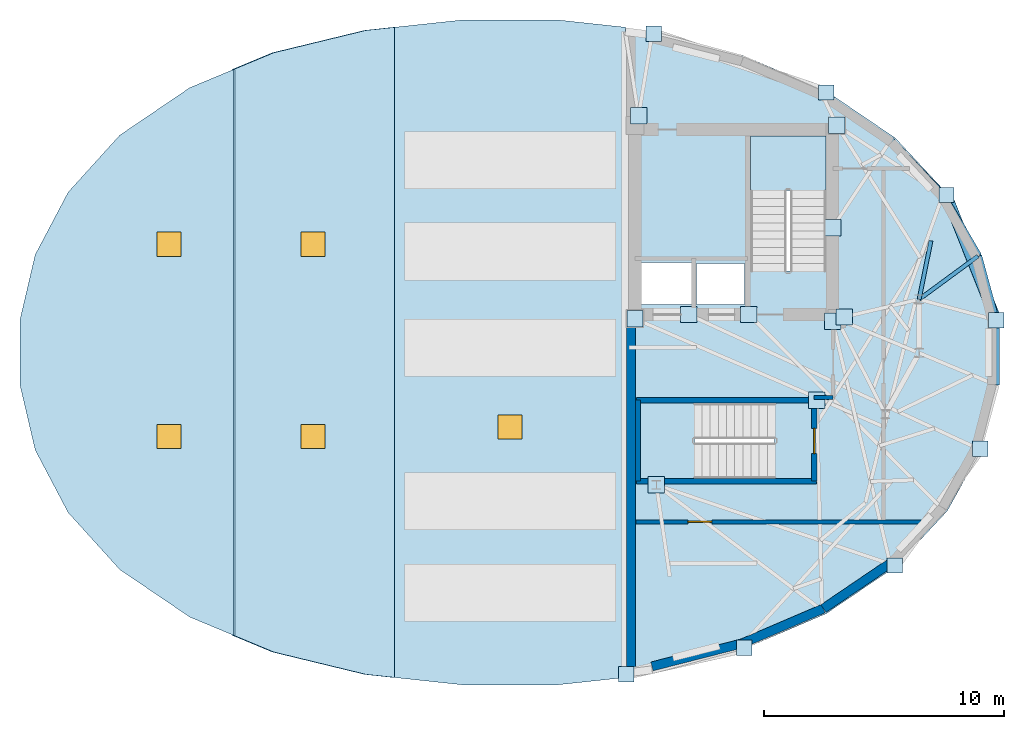
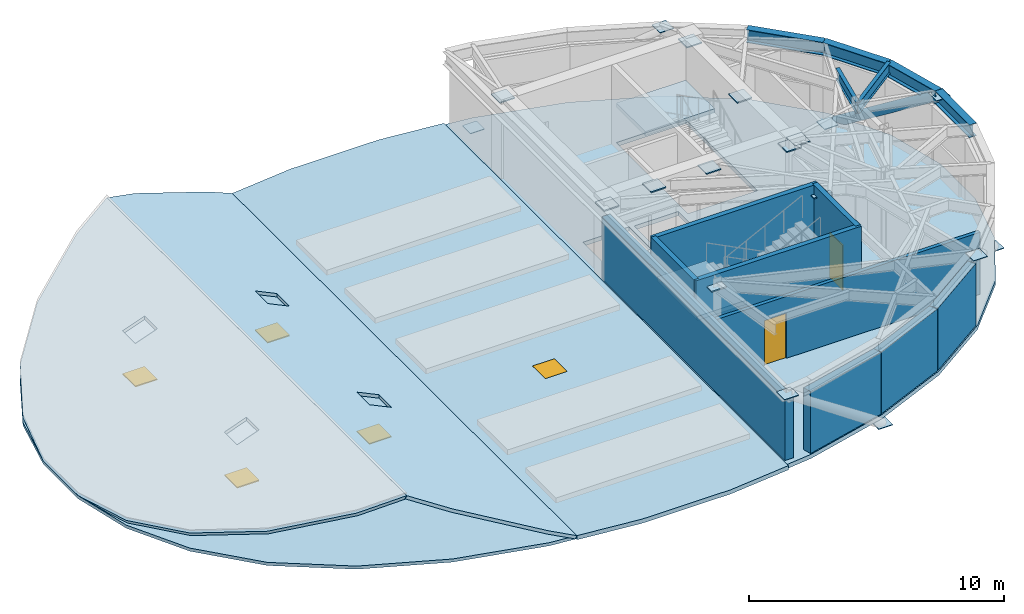
"""IFC4 building model written with IfcOpenShell, lengths in metres."""

from ifc_helpers import new_model, si_unit, direction, frame, frame_2d, origin, origin_2d, place, context, subcontext, project, spatial, polyline, rectangle, hollow_circle, i_section, outline, extrude, material, layer, layer_set, material_profile, profile_set, type_object, element, fill, aggregate, save


model = new_model("IFC4")

# Units and contexts
model_context = context("Model", 3, precision=1e-05, world=origin(), true_north=direction((0.0, 1.0)))
body_context = subcontext(model_context, "Body", "Model", "MODEL_VIEW")
ifc_project = project(units=[si_unit("LENGTHUNIT", "METRE"), si_unit("AREAUNIT", "SQUARE_METRE"), si_unit("VOLUMEUNIT", "CUBIC_METRE"), si_unit("PLANEANGLEUNIT", "RADIAN"), si_unit("MASSUNIT", "GRAM", prefix="KILO")], contexts=[model_context])

# Site, building, storey
site_placement = place(None, origin())
site = spatial("IfcSite", under=ifc_project, at=site_placement, CompositionType="ELEMENT")
building_placement = place(site_placement, origin())
building = spatial("IfcBuilding", under=site, at=building_placement, Name="Keldmark Tower", CompositionType="ELEMENT")
storey_1_placement = place(building_placement, frame((0.0, 0.0, 284.39990234375)))
storey_1 = spatial("IfcBuildingStorey", under=building, at=storey_1_placement, Name="L80", CompositionType="ELEMENT", Elevation=284.39990234375)

# Member
ifc_material_1 = material(Name="Steel ASTM A572 Grade 50", Category="steel")
ifc_material_profile_1 = material_profile(ifc_material_1, hollow_circle(Radius=0.22509765625, WallThickness=0.02197265625, at=origin_2d()), Name="CHS450X22")
ifc_profile_set_1 = profile_set([ifc_material_profile_1], Name="Steel ASTM A572 Grade 50")
member_type = type_object("IfcMemberType", Name="Crown Frame Brace CHS450X22", PredefinedType="USERDEFINED", material=ifc_profile_set_1)
member_placement = place(storey_1_placement, frame((18.16259765625, 6.548583984375, -0.449951171875), z_axis=(0.306433024078, -0.768769303786, 0.561331060348), x_axis=(0.928923803826, 0.370270936863, 0.0)))
element("IfcMember", 1, at=member_placement, inside=storey_1, type_object=member_type, Name="L80 Crown Frame Diagonal E04", ObjectType="CROWN FRAME", PredefinedType="USERDEFINED", context=body_context, shape_type="SweptSolid", body=[
    extrude(hollow_circle(Radius=0.22509765625, WallThickness=0.02197265625, at=origin_2d()), origin(), (0.0, 0.0, 1.0), 6.769775390625),
])

# Beams
ifc_material_2 = material(Name="Steel ASTM A992 Grade 50", Category="steel")
ifc_material_profile_2 = material_profile(ifc_material_2, i_section(OverallWidth=0.166015625, OverallDepth=0.529052734375, WebThickness=0.009765625, FlangeThickness=0.013671875, at=origin_2d()), Name="W21X50")
ifc_profile_set_2 = profile_set([ifc_material_profile_2], Name="Steel ASTM A992 Grade 50")
beam_type_1 = type_object("IfcBeamType", Name="Radial Tie Girder W21X50", PredefinedType="BEAM", material=ifc_profile_set_2)
beam_1_placement = place(storey_1_placement, frame((17.025634765625, 2.2080078125, 3.335693359375), z_axis=(0.197382504246, 0.980326551215, 0.0), x_axis=(-0.980326551215, 0.197382504246, 0.0)))
element("IfcBeam", 2, at=beam_1_placement, inside=storey_1, type_object=beam_type_1, Name="L80 Local Collector Chord CRT-E05C", PredefinedType="BEAM", context=body_context, shape_type="SweptSolid", body=[
    extrude(i_section(OverallWidth=0.166015625, OverallDepth=0.529052734375, WebThickness=0.009765625, FlangeThickness=0.013671875, at=origin_2d()), origin(), (0.0, 0.0, 1.0), 2.483642578125),
])
beam_2_placement = place(storey_1_placement, frame((17.025634765625, 2.2080078125, 3.335693359375), z_axis=(0.805845025999, 0.592126501749, 0.0), x_axis=(-0.592126501749, 0.805845025999, 0.0)))
element("IfcBeam", 3, at=beam_2_placement, inside=storey_1, type_object=beam_type_1, Name="L80 Perimeter Column Bracket CRT-E06", PredefinedType="BEAM", context=body_context, shape_type="SweptSolid", body=[
    extrude(i_section(OverallWidth=0.166015625, OverallDepth=0.529052734375, WebThickness=0.009765625, FlangeThickness=0.013671875, at=origin_2d()), origin(), (0.0, 0.0, 1.0), 3.03759765625),
])
ifc_material_3 = material(Name="Steel ASTM A992 Grade 50", Category="steel")
ifc_material_profile_3 = material_profile(ifc_material_3, i_section(OverallWidth=0.326904296875, OverallDepth=0.6220703125, WebThickness=0.015380859375, FlangeThickness=0.0244140625, at=origin_2d()), Name="W24X131")
ifc_profile_set_3 = profile_set([ifc_material_profile_3], Name="Steel ASTM A992 Grade 50")
beam_type_2 = type_object("IfcBeamType", Name="Spandrel Ring Beam W24X131", PredefinedType="SPANDREL", material=ifc_profile_set_3)
beam_3_placement = place(storey_1_placement, frame((15.8232421875, 8.8076171875, 3.2890625), z_axis=(0.691586095732, -0.722294034442, 0.0), x_axis=(0.722294034442, 0.691586095732, 0.0)))
element("IfcBeam", 4, at=beam_3_placement, inside=storey_1, type_object=beam_type_2, Name="L80 Crown Spandrel Ring Beam CRB-E04", PredefinedType="SPANDREL", context=body_context, shape_type="SweptSolid", body=[
    extrude(i_section(OverallWidth=0.326904296875, OverallDepth=0.6220703125, WebThickness=0.015380859375, FlangeThickness=0.0244140625, at=origin_2d()), origin(), (0.0, 0.0, 1.0), 3.15625),
])
beam_4_placement = place(storey_1_placement, frame((18.006103515625, 6.52783203125, 3.2890625), z_axis=(0.502991343688, -0.86429144863, 0.0), x_axis=(0.86429144863, 0.502991343688, 0.0)))
element("IfcBeam", 5, at=beam_4_placement, inside=storey_1, type_object=beam_type_2, Name="L80 Crown Spandrel Ring Beam CRB-E05", PredefinedType="SPANDREL", context=body_context, shape_type="SweptSolid", body=[
    extrude(i_section(OverallWidth=0.326904296875, OverallDepth=0.6220703125, WebThickness=0.015380859375, FlangeThickness=0.0244140625, at=origin_2d()), origin(), (0.0, 0.0, 1.0), 2.917236328125),
])
beam_5_placement = place(storey_1_placement, frame((19.473388671875, 4.006591796875, 3.2890625), z_axis=(0.263499861822, -0.964659433593, 0.0), x_axis=(0.964659433593, 0.263499861822, 0.0)))
element("IfcBeam", 6, at=beam_5_placement, inside=storey_1, type_object=beam_type_2, Name="L80 Crown Spandrel Ring Beam CRB-E06", PredefinedType="SPANDREL", context=body_context, shape_type="SweptSolid", body=[
    extrude(i_section(OverallWidth=0.326904296875, OverallDepth=0.6220703125, WebThickness=0.015380859375, FlangeThickness=0.0244140625, at=origin_2d()), origin(), (0.0, 0.0, 1.0), 2.754638671875),
])
beam_6_placement = place(storey_1_placement, frame((20.19921875, 1.349365234375, 3.2890625), z_axis=(0.0, -1.0, 0.0), x_axis=(1.0, 0.0, 0.0)))
element("IfcBeam", 7, at=beam_6_placement, inside=storey_1, type_object=beam_type_2, Name="L80 Crown Spandrel Ring Beam CRB-E07", PredefinedType="SPANDREL", context=body_context, shape_type="SweptSolid", body=[
    extrude(i_section(OverallWidth=0.326904296875, OverallDepth=0.6220703125, WebThickness=0.015380859375, FlangeThickness=0.0244140625, at=origin_2d()), origin(), (0.0, 0.0, 1.0), 2.69873046875),
])

# Plates
ifc_material_4 = material(Name="Steel ASTM A572 Grade 50", Category="steel")
ifc_layer_1 = layer(ifc_material_4, 0.06005859375)
ifc_layer_set_1 = layer_set([ifc_layer_1], Name="Steel ASTM A572 Grade 50")
plate_type_1 = type_object("IfcPlateType", Name="Belt Truss Kink Node Assembly KN01 60 mm", PredefinedType="USERDEFINED", material=ifc_layer_set_1)
for number, where, z_axis, x_axis, name in (
    (8, (13.91162109375, 1.473388671875, 3.30810546875), (0.0, 0.0, 1.0), (1.0, 0.0, 0.0), "L80 Core Wall Cast-In Embed Plate 2254"),
    (9, (5.199951171875, 1.39990234375, 3.30810546875), (0.0, 0.0, 1.0), (1.0, 0.0, 0.0), "L80 Core Wall Cast-In Embed Plate 2255"),
    (10, (13.60009765625, 9.449951171875, 3.30810546875), (0.0, 0.0, 1.0), (1.0, 0.0, 0.0), "L80 Core Wall Cast-In Embed Plate 2256"),
    (11, (7.43212890625, 1.574951171875, 3.30810546875), (0.0, 0.0, 1.0), (1.0, 0.0, 0.0), "L80 Core Wall Cast-In Embed Plate 2257"),
    (12, (9.939208984375, 1.574951171875, 3.30810546875), (0.0, 0.0, 1.0), (1.0, 0.0, 0.0), "L80 Core Wall Cast-In Embed Plate 2258"),
    (13, (13.425048828125, 1.300048828125, 3.30810546875), (0.0, 0.0, 1.0), (1.0, 0.0, 0.0), "L80 Core Wall Cast-In Embed Plate 2259"),
    (14, (13.425048828125, 5.191650390625, 3.30810546875), (0.0, 0.0, 1.0), (1.0, 0.0, 0.0), "L80 Core Wall Cast-In Embed Plate 2260"),
    (15, (6.089599609375, -5.512939453125, 3.30810546875), (0.0, 0.0, 1.0), (1.0, 0.0, 0.0), "L80 Core Wall Cast-In Embed Plate 2261"),
    (16, (12.760009765625, -1.989990234375, 3.30810546875), (0.0, 0.0, 1.0), (1.0, 0.0, 0.0), "L80 Core Wall Cast-In Embed Plate 2262"),
    (17, (5.35009765625, 9.85009765625, 3.30810546875), (0.0, 0.0, 1.0), (1.0, 0.0, 0.0), "L80 Core Wall Cast-In Embed Plate 2263"),
):
    element("IfcPlate", number, at=place(storey_1_placement, frame(where, z_axis=z_axis, x_axis=x_axis)), inside=storey_1, type_object=plate_type_1, Name=name, ObjectType="CAP PLATE", PredefinedType="USERDEFINED", context=body_context, shape_type="SweptSolid", body=[
        extrude(rectangle(XDim=0.679931640625, YDim=0.679931640625, at=origin_2d()), origin(), (0.0, 0.0, 1.0), 0.054931640625),
    ])
ifc_material_5 = material(Name="Steel ASTM A572 Grade 50", Category="steel")
ifc_layer_2 = layer(ifc_material_5, 0.030029296875)
ifc_layer_set_2 = layer_set([ifc_layer_2], Name="Steel ASTM A572 Grade 50")
plate_type_2 = type_object("IfcPlateType", Name="Crown Frame End Cap Plate CP01 30 mm", PredefinedType="SHEET", material=ifc_layer_set_2)
for number, where, z_axis, x_axis, name in (
    (18, (5.980224609375, 13.25341796875, -0.46484375), (0.0, 0.0, 1.0), (1.0, 0.0, 0.0), "L80 Crown Frame Node Cap E00-0"),
    (19, (13.15869140625, 10.81396484375, 3.3349609375), (0.0, 0.0, 1.0), (1.0, 0.0, 0.0), "L80 Crown Frame Node Cap E00-1"),
    (20, (18.16259765625, 6.548583984375, -0.46484375), (0.0, 0.0, 1.0), (1.0, 0.0, 0.0), "L80 Crown Frame Node Cap E04-0"),
    (21, (20.237060546875, 1.34423828125, 3.3349609375), (0.0, 0.0, 1.0), (1.0, 0.0, 0.0), "L80 Crown Frame Node Cap E04-1"),
    (22, (19.566650390625, -4.00341796875, -0.46484375), (0.0, 0.0, 1.0), (1.0, 0.0, 0.0), "L80 Crown Frame Node Cap E08-0"),
    (23, (16.01513671875, -8.866455078125, 3.3349609375), (0.0, 0.0, 1.0), (1.0, 0.0, 0.0), "L80 Crown Frame Node Cap E08-1"),
    (24, (9.744140625, -12.28564453125, -0.46484375), (0.0, 0.0, 1.0), (1.0, 0.0, 0.0), "L80 Crown Frame Node Cap E12-0"),
    (25, (4.83251953125, -13.389404296875, 3.3349609375), (0.0, 0.0, 1.0), (1.0, 0.0, 0.0), "L80 Crown Frame Node Cap E12-1"),
):
    element("IfcPlate", number, at=place(storey_1_placement, frame(where, z_axis=z_axis, x_axis=x_axis)), inside=storey_1, type_object=plate_type_2, Name=name, PredefinedType="SHEET", context=body_context, shape_type="SweptSolid", body=[
        extrude(rectangle(XDim=0.639892578125, YDim=0.639892578125, at=origin_2d()), origin(), (0.0, 0.0, 1.0), 0.030029296875),
    ])

# Slab, opening
ifc_material_6 = material(Name="Concrete C35/45", Category="concrete")
ifc_layer_3 = layer(ifc_material_6, 0.199951171875)
ifc_layer_set_3 = layer_set([ifc_layer_3], Name="Concrete C35/45")
slab_type_1 = type_object("IfcSlabType", Name="Crown Structural Roof Cap Slab 200 mm", PredefinedType="ROOF", material=ifc_layer_set_3)
slab_1_placement = place(storey_1_placement, frame((0.0, 0.0, -0.199951171875)))
slab_1 = element("IfcSlab", 26, at=slab_1_placement, inside=storey_1, type_object=slab_type_1, Name="L80 Crown Sky-Slot Weather Roof Deck", PredefinedType="ROOF", context=body_context, shape_type="SweptSolid", body=[
    extrude(outline(polyline([(-2.008544921875, 13.83251953125), (2.008544921875, 13.83251953125), (4.800048828125, 13.531982421875), (4.800048828125, -13.531982421875), (2.008544921875, -13.83251953125), (-2.008544921875, -13.83251953125), (-4.800048828125, -13.531982421875), (-4.800048828125, 13.531982421875), (-2.008544921875, 13.83251953125)])), origin(), (0.0, 0.0, 1.0), 0.199951171875),
])
opening_1_placement = place(slab_1_placement, frame((0.0, -3.10009765625, 0.0)))
opening_1 = element("IfcOpeningElement", 27, at=opening_1_placement, cuts=slab_1, Name="Opening RH-01", PredefinedType="OPENING", context=body_context, shape_type="SweptSolid", body=[
    extrude(rectangle(XDim=1.0, YDim=1.0, at=origin_2d()), origin(), (0.0, 0.0, 1.0), 0.199951171875),
])

# Storey
storey_2_placement = place(building_placement, frame((0.0, 0.0, 280.60009765625)))
storey_2 = spatial("IfcBuildingStorey", under=building, at=storey_2_placement, Name="L79", CompositionType="ELEMENT", Elevation=280.60009765625)

# Door
ifc_material_7 = material(Name="Galvanized Insulated Metal", Category="metal")
door_type_1 = type_object("IfcDoorType", Name="Insulated Roof Maintenance Hatch 1000x1000", OperationType="SWING_FIXED_LEFT", PredefinedType="TRAPDOOR", material=ifc_material_7)
door_1_placement = place(opening_1_placement, frame((0.0, 0.0, 0.14990234375)))
door_1 = element("IfcDoor", 28, at=door_1_placement, inside=storey_2, type_object=door_type_1, Name="L79 Crown Sky-Slot Acoustic Roof Hatch", OperationType="SINGLE_SWING_LEFT", OverallHeight=1.0, OverallWidth=1.0, PredefinedType="TRAPDOOR", context=body_context, shape_type="SweptSolid", body=[
    extrude(rectangle(XDim=1.0, YDim=1.0, at=origin_2d()), origin(), (0.0, 0.0, 1.0), 0.050048828125),
])

fill(opening_1, door_1)

# Slab
ifc_material_8 = material(Name="Concrete C35/45", Category="concrete")
ifc_layer_4 = layer(ifc_material_8, 0.199951171875)
ifc_layer_set_4 = layer_set([ifc_layer_4], Name="Concrete C35/45")
slab_type_2 = type_object("IfcSlabType", Name="Low-Rise Office Composite Slab 200 mm", PredefinedType="FLOOR", material=ifc_layer_set_4)
slab_2_placement = place(storey_1_placement, frame((0.0, 0.0, -0.199951171875)))
element("IfcSlab", 29, at=slab_2_placement, inside=storey_1, type_object=slab_type_2, Name="L80 East Crown Plant Floor Slab", PredefinedType="FLOOR", context=body_context, shape_type="SweptSolid", body=[
    extrude(outline(polyline([(5.95068359375, 13.3056640625), (9.726806640625, 12.343017578125), (13.156982421875, 10.8740234375), (16.03173828125, 8.924072265625), (18.197509765625, 6.597412109375), (19.61669921875, 4.0361328125), (20.2958984375, 1.35595703125), (20.2958984375, -1.35595703125), (19.61669921875, -4.0361328125), (18.197509765625, -6.597412109375), (16.03173828125, -8.924072265625), (13.156982421875, -10.8740234375), (9.726806640625, -12.343017578125), (5.95068359375, -13.3056640625), (4.800048828125, -13.439697265625), (4.800048828125, 13.439697265625), (5.95068359375, 13.3056640625)]), holes=[polyline([(13.14990234375, 3.385009765625), (13.14990234375, 9.0), (10.0, 9.0), (10.0, 3.385009765625), (13.14990234375, 3.385009765625)]), polyline([(11.014892578125, -2.10009765625), (5.43994140625, -2.10009765625), (5.43994140625, -5.25), (11.014892578125, -5.25), (11.014892578125, -2.10009765625)]), polyline([(7.75, 2.0), (9.75, 2.0), (9.75, 3.699951171875), (7.75, 3.699951171875), (7.75, 2.0)]), polyline([(5.449951171875, 2.0), (7.550048828125, 2.0), (7.550048828125, 3.75), (5.449951171875, 3.75), (5.449951171875, 2.0)])]), origin(), (0.0, 0.0, 1.0), 0.199951171875),
])

# Stair, slab
ifc_material_9 = material(Name="Concrete C40/50", Category="concrete")
stair_type = type_object("IfcStairType", Name="Precast Concrete Core Exit Stair", PredefinedType="HALF_TURN_STAIR", material=ifc_material_9)
stair_1_placement = place(storey_1_placement, origin())
stair_1 = element("IfcStair", 30, at=stair_1_placement, inside=storey_1, type_object=stair_type, Name="L80 Exit Stair ST2", PredefinedType="HALF_TURN_STAIR")
ifc_material_10 = material(Name="Concrete C40/50", Category="concrete")
ifc_layer_5 = layer(ifc_material_10, 0.199951171875)
ifc_layer_set_5 = layer_set([ifc_layer_5], Name="Concrete C40/50")
slab_type_3 = type_object("IfcSlabType", Name="Reinforced Concrete Stair Landing 200 mm", PredefinedType="LANDING", material=ifc_layer_set_5)
slab_3_placement = place(storey_1_placement, frame((0.0, 0.0, 1.7001953125)))
slab_3 = element("IfcSlab", 31, at=slab_3_placement, type_object=slab_type_3, Name="ST2 landing 1", PredefinedType="LANDING", context=body_context, shape_type="SweptSolid", body=[
    extrude(outline(polyline([(13.14990234375, 6.72998046875), (13.14990234375, 9.0), (10.0, 9.0), (10.0, 6.72998046875), (13.14990234375, 6.72998046875)])), origin(), (0.0, 0.0, 1.0), 0.199951171875),
])
aggregate(stair_1, [slab_3])

stair_2_placement = place(storey_1_placement, origin())
stair_2 = element("IfcStair", 32, at=stair_2_placement, inside=storey_1, type_object=stair_type, Name="L80 East Crown Exit Stair ST4", PredefinedType="HALF_TURN_STAIR")
slab_4_placement = place(storey_1_placement, frame((0.0, 0.0, 1.7001953125)))
slab_4 = element("IfcSlab", 33, at=slab_4_placement, type_object=slab_type_3, Name="ST4 landing 1", PredefinedType="LANDING", context=body_context, shape_type="SweptSolid", body=[
    extrude(outline(polyline([(7.669921875, -2.10009765625), (5.43994140625, -2.10009765625), (5.43994140625, -5.25), (7.669921875, -5.25), (7.669921875, -2.10009765625)])), origin(), (0.0, 0.0, 1.0), 0.199951171875),
])
aggregate(stair_2, [slab_4])

# Slab, openings
ifc_material_11 = material(Name="Concrete C35/45", Category="concrete")
ifc_layer_6 = layer(ifc_material_11, 0.14990234375)
ifc_layer_set_6 = layer_set([ifc_layer_6], Name="Concrete C35/45")
slab_type_4 = type_object("IfcSlabType", Name="Sloped Crown Structural Roof Slab 150 mm", PredefinedType="ROOF", material=ifc_layer_set_6)
slab_5_placement = place(storey_1_placement, frame((-13.327880859375, -11.015869140625, 2.5419921875), z_axis=(-0.33867484023, 0.0, 0.940903476768), x_axis=(-0.793128862119, 0.538001443292, -0.285483896375)))
slab_5 = element("IfcSlab", 34, at=slab_5_placement, inside=storey_1, type_object=slab_type_4, Name="L80 West Crown Peak Sloped Roof W1", PredefinedType="ROOF", context=body_context, shape_type="SweptSolid", body=[
    extrude(outline(polyline([(0.0, 0.0), (3.6716291777757766, -2.220446049250313e-16), (6.873642180297279, -0.7718228767020248), (9.501539032446829, -2.180583336689754), (11.52235111145875, -4.098164606023342), (12.988194887614636, -6.394857504571808), (13.876478503432509, -9.03526497332526), (14.047607714892449, -12.01203548717873), (13.399262695885527, -15.241315059722158), (11.853106993535782, -18.571519762617434), (10.625129973592486, -20.258616602566217), (-2.0473258976906448, -0.4033360602762608), (0.0, 0.0)])), origin(), (0.0, 0.0, -1.0), 0.14990234375),
])
opening_2_placement = place(storey_1_placement, frame((-14.199951171875, -3.5, -0.64990234375)))
element("IfcOpeningElement", 35, at=opening_2_placement, cuts=slab_5, Name="Opening RH-01 Roof", PredefinedType="OPENING", context=body_context, shape_type="SweptSolid", body=[
    extrude(rectangle(XDim=1.0, YDim=1.0, at=origin_2d()), origin(), (0.0, 0.0, 1.0), 5.5),
])
opening_3_placement = place(storey_1_placement, frame((-14.199951171875, 4.5, -0.64990234375)))
element("IfcOpeningElement", 36, at=opening_3_placement, cuts=slab_5, Name="Opening RH-01 Roof", PredefinedType="OPENING", context=body_context, shape_type="SweptSolid", body=[
    extrude(rectangle(XDim=1.0, YDim=1.0, at=origin_2d()), origin(), (0.0, 0.0, 1.0), 5.5),
])

slab_6_placement = place(storey_1_placement, frame((-9.8291015625, -12.473388671875, 2.402099609375), z_axis=(0.431002672841, 0.0, 0.902350650248), x_axis=(-0.8446494228, 0.351854939176, 0.403442008648)))
slab_6 = element("IfcSlab", 37, at=slab_6_placement, inside=storey_1, type_object=slab_type_4, Name="L80 West Crown Peak Sloped Roof W2", PredefinedType="ROOF", context=body_context, shape_type="SweptSolid", body=[
    extrude(outline(polyline([(0.0, 0.0), (1.978215578003133, 1.3877787807814457e-17), (10.266048715621652, -22.04847217168683), (8.777646824918486, -23.351544189959615), (5.126716354713049, -25.71761753850269), (3.933223883739447, -26.303431896665362), (-5.589365820215398, -0.9700847353866335), (-4.30550435607456, -0.6246828225454222), (0.0, 0.0)])), origin(), (0.0, 0.0, -1.0), 0.14990234375),
])
opening_4_placement = place(storey_1_placement, frame((-8.199951171875, -3.5, -0.64990234375)))
element("IfcOpeningElement", 38, at=opening_4_placement, cuts=slab_6, Name="Opening RH-01 Roof", PredefinedType="OPENING", context=body_context, shape_type="SweptSolid", body=[
    extrude(rectangle(XDim=1.0, YDim=1.0, at=origin_2d()), origin(), (0.0, 0.0, 1.0), 5.5),
])
opening_5_placement = place(storey_1_placement, frame((-8.199951171875, 4.5, -0.64990234375)))
element("IfcOpeningElement", 39, at=opening_5_placement, cuts=slab_6, Name="Opening RH-01 Roof", PredefinedType="OPENING", context=body_context, shape_type="SweptSolid", body=[
    extrude(rectangle(XDim=1.0, YDim=1.0, at=origin_2d()), origin(), (0.0, 0.0, 1.0), 5.5),
])

# Slab, openings, doors
slab_7_placement = place(storey_1_placement, frame((0.0, 0.0, -0.14990234375)))
slab_7 = element("IfcSlab", 40, at=slab_7_placement, inside=storey_1, type_object=slab_type_4, Name="L80 West Crown Peak Ceiling Deck", PredefinedType="ROOF", context=body_context, shape_type="SweptSolid", body=[
    extrude(outline(polyline([(-5.994140625, -13.403564453125), (-9.8291015625, -12.473388671875), (-13.327880859375, -11.015869140625), (-16.239990234375, -9.04052734375), (-18.388916015625, -6.667236328125), (-19.760009765625, -4.06591796875), (-20.392333984375, -1.3623046875), (-20.392333984375, 1.3623046875), (-19.760009765625, 4.06591796875), (-18.388916015625, 6.667236328125), (-16.239990234375, 9.04052734375), (-13.327880859375, 11.015869140625), (-9.8291015625, 12.473388671875), (-5.994140625, 13.403564453125), (-4.800048828125, 13.531982421875), (-4.800048828125, -13.531982421875), (-5.994140625, -13.403564453125)])), origin(), (0.0, 0.0, 1.0), 0.14990234375),
])
opening_6_placement = place(slab_7_placement, frame((-14.199951171875, -3.5, 0.0)))
opening_6 = element("IfcOpeningElement", 41, at=opening_6_placement, cuts=slab_7, Name="Opening RH-01", PredefinedType="OPENING", context=body_context, shape_type="SweptSolid", body=[
    extrude(rectangle(XDim=1.0, YDim=1.0, at=origin_2d()), origin(), (0.0, 0.0, 1.0), 0.14990234375),
])
opening_7_placement = place(slab_7_placement, frame((-14.199951171875, 4.5, 0.0)))
opening_7 = element("IfcOpeningElement", 42, at=opening_7_placement, cuts=slab_7, Name="Opening RH-01", PredefinedType="OPENING", context=body_context, shape_type="SweptSolid", body=[
    extrude(rectangle(XDim=1.0, YDim=1.0, at=origin_2d()), origin(), (0.0, 0.0, 1.0), 0.14990234375),
])
opening_8_placement = place(slab_7_placement, frame((-8.199951171875, -3.5, 0.0)))
opening_8 = element("IfcOpeningElement", 43, at=opening_8_placement, cuts=slab_7, Name="Opening RH-01", PredefinedType="OPENING", context=body_context, shape_type="SweptSolid", body=[
    extrude(rectangle(XDim=1.0, YDim=1.0, at=origin_2d()), origin(), (0.0, 0.0, 1.0), 0.14990234375),
])
opening_9_placement = place(slab_7_placement, frame((-8.199951171875, 4.5, 0.0)))
opening_9 = element("IfcOpeningElement", 44, at=opening_9_placement, cuts=slab_7, Name="Opening RH-01", PredefinedType="OPENING", context=body_context, shape_type="SweptSolid", body=[
    extrude(rectangle(XDim=1.0, YDim=1.0, at=origin_2d()), origin(), (0.0, 0.0, 1.0), 0.14990234375),
])
door_2_placement = place(opening_6_placement, frame((0.0, 0.0, 0.099853515625)))
door_2 = element("IfcDoor", 45, at=door_2_placement, inside=storey_2, type_object=door_type_1, Name="L79 West Crown Roof Maintenance Hatch 01", OperationType="SINGLE_SWING_LEFT", OverallHeight=1.0, OverallWidth=1.0, PredefinedType="TRAPDOOR", context=body_context, shape_type="SweptSolid", body=[
    extrude(rectangle(XDim=1.0, YDim=1.0, at=origin_2d()), origin(), (0.0, 0.0, 1.0), 0.050048828125),
])
fill(opening_6, door_2)
door_3_placement = place(opening_7_placement, frame((0.0, 0.0, 0.099853515625)))
door_3 = element("IfcDoor", 46, at=door_3_placement, inside=storey_2, type_object=door_type_1, Name="L79 West Crown Roof Maintenance Hatch 02", OperationType="SINGLE_SWING_LEFT", OverallHeight=1.0, OverallWidth=1.0, PredefinedType="TRAPDOOR", context=body_context, shape_type="SweptSolid", body=[
    extrude(rectangle(XDim=1.0, YDim=1.0, at=origin_2d()), origin(), (0.0, 0.0, 1.0), 0.050048828125),
])
fill(opening_7, door_3)
door_4_placement = place(opening_8_placement, frame((0.0, 0.0, 0.099853515625)))
door_4 = element("IfcDoor", 47, at=door_4_placement, inside=storey_2, type_object=door_type_1, Name="L79 West Crown Roof Maintenance Hatch 03", OperationType="SINGLE_SWING_LEFT", OverallHeight=1.0, OverallWidth=1.0, PredefinedType="TRAPDOOR", context=body_context, shape_type="SweptSolid", body=[
    extrude(rectangle(XDim=1.0, YDim=1.0, at=origin_2d()), origin(), (0.0, 0.0, 1.0), 0.050048828125),
])
fill(opening_8, door_4)
door_5_placement = place(opening_9_placement, frame((0.0, 0.0, 0.099853515625)))
door_5 = element("IfcDoor", 48, at=door_5_placement, inside=storey_2, type_object=door_type_1, Name="L79 West Crown Roof Maintenance Hatch 04", OperationType="SINGLE_SWING_LEFT", OverallHeight=1.0, OverallWidth=1.0, PredefinedType="TRAPDOOR", context=body_context, shape_type="SweptSolid", body=[
    extrude(rectangle(XDim=1.0, YDim=1.0, at=origin_2d()), origin(), (0.0, 0.0, 1.0), 0.050048828125),
])
fill(opening_9, door_5)

# Walls
ifc_material_12 = material(Name="Kasota Buff Limestone Ashlar Masonry", Category="masonry")
ifc_layer_7 = layer(ifc_material_12, 0.3798828125)
ifc_layer_set_7 = layer_set([ifc_layer_7], Name="Kasota Buff Limestone Ashlar Masonry")
wall_type_1 = type_object("IfcWallType", Name="Crown Kasota Limestone Screen Wall 380 mm", PredefinedType="ELEMENTEDWALL", material=ifc_layer_set_7)
wall_1_placement = place(storey_1_placement, frame((13.041259765625, -10.662353515625, 0.0), z_axis=(0.0, 0.0, 1.0), x_axis=(0.82760237515, 0.561314803516, 0.0)))
element("IfcWall", 49, at=wall_1_placement, inside=storey_1, type_object=wall_type_1, Name="L80 Crown Limestone Enclosure Wall E11", PredefinedType="ELEMENTEDWALL", context=body_context, shape_type="SweptSolid", body=[
    extrude(rectangle(XDim=3.42333984375, YDim=0.3798828125, at=frame_2d((1.711669921875, 0.0))), origin(), (0.0, 0.0, 1.0), 2.97021484375),
])
wall_2_placement = place(storey_1_placement, frame((9.6494140625, -12.114990234375, 0.0), z_axis=(0.0, 0.0, 1.0), x_axis=(0.919244249846, 0.393687705073, 0.0)))
element("IfcWall", 50, at=wall_2_placement, inside=storey_1, type_object=wall_type_1, Name="L80 Crown Limestone Enclosure Wall E12", PredefinedType="ELEMENTEDWALL", context=body_context, shape_type="SweptSolid", body=[
    extrude(rectangle(XDim=3.68994140625, YDim=0.3798828125, at=frame_2d((1.844970703125, 0.0))), origin(), (0.0, 0.0, 1.0), 2.97021484375),
])
wall_3_placement = place(storey_1_placement, frame((5.906982421875, -13.069091796875, 0.0), z_axis=(0.0, 0.0, 1.0), x_axis=(0.969005337837, 0.247039784739, 0.0)))
element("IfcWall", 51, at=wall_3_placement, inside=storey_1, type_object=wall_type_1, Name="L80 Crown Limestone Enclosure Wall E13", PredefinedType="ELEMENTEDWALL", context=body_context, shape_type="SweptSolid", body=[
    extrude(rectangle(XDim=3.862060546875, YDim=0.3798828125, at=frame_2d((1.93115234375, 0.0))), origin(), (0.0, 0.0, 1.0), 2.97021484375),
])
wall_4_placement = place(storey_1_placement, frame((5.0400390625, 1.219970703125, 0.0), z_axis=(0.0, 0.0, 1.0), x_axis=(0.0, -1.0, 0.0)))
element("IfcWall", 52, at=wall_4_placement, inside=storey_1, type_object=wall_type_1, Name="L80 Crown Limestone Enclosure Wall E15", PredefinedType="ELEMENTEDWALL", context=body_context, shape_type="SweptSolid", body=[
    extrude(rectangle(XDim=14.39013671875, YDim=0.3798828125, at=frame_2d((7.195068359375, 0.0))), origin(), (0.0, 0.0, 1.0), 2.97021484375),
])
ifc_material_13 = material(Name="Type X Fire-Rated Gypsum Partition Assembly", Category="gypsum")
ifc_layer_8 = layer(ifc_material_13, 0.1650390625)
ifc_layer_set_8 = layer_set([ifc_layer_8], Name="Type X Fire-Rated Gypsum Partition Assembly")
wall_type_2 = type_object("IfcWallType", Name="Rated Partition 165 mm", PredefinedType="PARTITIONING", material=ifc_layer_set_8)
wall_5_placement = place(storey_1_placement, frame((12.659912109375, -1.8798828125, 0.0), z_axis=(0.0, 0.0, 1.0), x_axis=(1.0, 0.0, 0.0)))
element("IfcWall", 53, at=wall_5_placement, inside=storey_1, type_object=wall_type_2, Name="L80 Rated Partition 165 mm EC-FSAE-S", PredefinedType="PARTITIONING", context=body_context, shape_type="SweptSolid", body=[
    extrude(rectangle(XDim=0.7900390625, YDim=0.1650390625, at=frame_2d((0.39501953125, 0.0))), origin(), (0.0, 0.0, 1.0), 3.06103515625),
])

# Wall, opening, door
wall_6_placement = place(storey_1_placement, frame((5.238037109375, -7.050048828125, 0.0), z_axis=(0.0, 0.0, 1.0), x_axis=(1.0, 0.0, 0.0)))
wall_6 = element("IfcWall", 54, at=wall_6_placement, inside=storey_1, type_object=wall_type_2, Name="L80 Rated Partition 165 mm EC-SCOR-S", PredefinedType="PARTITIONING", context=body_context, shape_type="SweptSolid", body=[
    extrude(rectangle(XDim=11.93994140625, YDim=0.1650390625, at=frame_2d((5.969970703125, 0.0))), origin(), (0.0, 0.0, 1.0), 2.968017578125),
])
opening_10_placement = place(wall_6_placement, frame((2.162109375, 0.0, 0.0)))
opening_10 = element("IfcOpeningElement", 55, at=opening_10_placement, cuts=wall_6, Name="Opening D-FD100", PredefinedType="OPENING", context=body_context, shape_type="SweptSolid", body=[
    extrude(rectangle(XDim=1.0, YDim=2.14990234375, at=frame_2d((0.5, 1.074951171875))), frame((0.0, 0.092529296875, 0.0), z_axis=(0.0, -1.0, 0.0), x_axis=(1.0, 0.0, 0.0)), (0.0, 0.0, 1.0), 0.18505859375),
])
ifc_material_14 = material(Name="Hollow Metal Fire-Rated Corridor Door", Category="metal")
door_type_2 = type_object("IfcDoorType", Name="Fire Door 1000x2150", OperationType="NOTDEFINED", PredefinedType="DOOR", material=ifc_material_14)
door_6_placement = place(opening_10_placement, origin())
door_6 = element("IfcDoor", 56, at=door_6_placement, inside=storey_1, type_object=door_type_2, Name="L80 Fire Door 1000x2150 D-ECPS-L80", OperationType="SINGLE_SWING_RIGHT", OverallHeight=2.14990234375, OverallWidth=1.0, PredefinedType="DOOR", context=body_context, shape_type="SweptSolid", body=[
    extrude(rectangle(XDim=1.0, YDim=2.14990234375, at=frame_2d((0.5, 1.074951171875))), frame((0.0, 0.02490234375, 0.0), z_axis=(0.0, -1.0, 0.0), x_axis=(1.0, 0.0, 0.0)), (0.0, 0.0, 1.0), 0.050048828125),
])
fill(opening_10, door_6)

# Walls
ifc_material_15 = material(Name="Concrete C50/60", Category="concrete")
ifc_layer_9 = layer(ifc_material_15, 0.219970703125)
ifc_layer_set_9 = layer_set([ifc_layer_9], Name="Concrete C50/60")
wall_type_3 = type_object("IfcWallType", Name="Stair Core Shear Wall 220 mm", PredefinedType="SHEAR", material=ifc_layer_set_9)
for number, where, z_axis, x_axis, name in (
    (57, (5.260009765625, -1.989990234375, 0.0), (0.0, 0.0, 1.0), (1.0, 0.0, 0.0), "L80 East Crown Stair ST4 North Wall"),
    (58, (5.260009765625, -5.360107421875, 0.0), (0.0, 0.0, 1.0), (1.0, 0.0, 0.0), "L80 East Crown Stair ST4 South Wall"),
):
    element("IfcWall", number, at=place(storey_1_placement, frame(where, z_axis=z_axis, x_axis=x_axis)), inside=storey_1, type_object=wall_type_3, Name=name, PredefinedType="SHEAR", context=body_context, shape_type="SweptSolid", body=[
        extrude(rectangle(XDim=7.5, YDim=0.219970703125, at=frame_2d((3.75, 0.0))), origin(), (0.0, 0.0, 1.0), 3.800048828125),
    ])
wall_7_placement = place(storey_1_placement, frame((5.330078125, -5.360107421875, 0.0), z_axis=(0.0, 0.0, 1.0), x_axis=(0.0, 1.0, 0.0)))
element("IfcWall", 59, at=wall_7_placement, inside=storey_1, type_object=wall_type_3, Name="L80 East Crown Stair ST4 West Wall", PredefinedType="SHEAR", context=body_context, shape_type="SweptSolid", body=[
    extrude(rectangle(XDim=3.3701171875, YDim=0.219970703125, at=frame_2d((1.68505859375, 0.0))), origin(), (0.0, 0.0, 1.0), 3.800048828125),
])

# Wall, opening, door
wall_8_placement = place(storey_1_placement, frame((12.659912109375, -5.360107421875, 0.0), z_axis=(0.0, 0.0, 1.0), x_axis=(0.0, 1.0, 0.0)))
wall_8 = element("IfcWall", 60, at=wall_8_placement, inside=storey_1, type_object=wall_type_3, Name="L80 East Crown Stair ST4 East Wall", PredefinedType="SHEAR", context=body_context, shape_type="SweptSolid", body=[
    extrude(rectangle(XDim=3.3701171875, YDim=0.219970703125, at=frame_2d((1.68505859375, 0.0))), origin(), (0.0, 0.0, 1.0), 3.800048828125),
])
opening_11_placement = place(wall_8_placement, frame((1.14990234375, 0.0, 0.0)))
opening_11 = element("IfcOpeningElement", 61, at=opening_11_placement, cuts=wall_8, Name="Opening D-ST105", PredefinedType="OPENING", context=body_context, shape_type="SweptSolid", body=[
    extrude(rectangle(XDim=1.050048828125, YDim=2.14990234375, at=frame_2d((0.52490234375, 1.074951171875))), frame((0.0, 0.119873046875, 0.0), z_axis=(0.0, -1.0, 0.0), x_axis=(1.0, 0.0, 0.0)), (0.0, 0.0, 1.0), 0.239990234375),
])
ifc_material_16 = material(Name="Hollow Metal Fire-Rated Door Assembly", Category="metal")
door_type_3 = type_object("IfcDoorType", Name="Stair Fire Door 1050x2150", OperationType="NOTDEFINED", PredefinedType="DOOR", material=ifc_material_16)
door_7_placement = place(opening_11_placement, origin())
door_7 = element("IfcDoor", 62, at=door_7_placement, inside=storey_1, type_object=door_type_3, Name="L80 Stair Fire Door 1050x2150 D-ST4-L80", OperationType="SINGLE_SWING_LEFT", OverallHeight=2.14990234375, OverallWidth=1.050048828125, PredefinedType="DOOR", context=body_context, shape_type="SweptSolid", body=[
    extrude(rectangle(XDim=1.050048828125, YDim=2.14990234375, at=frame_2d((0.52490234375, 1.074951171875))), frame((0.0, 0.02490234375, 0.0), z_axis=(0.0, -1.0, 0.0), x_axis=(1.0, 0.0, 0.0)), (0.0, 0.0, 1.0), 0.050048828125),
])
fill(opening_11, door_7)

save(model, "model.ifc")
